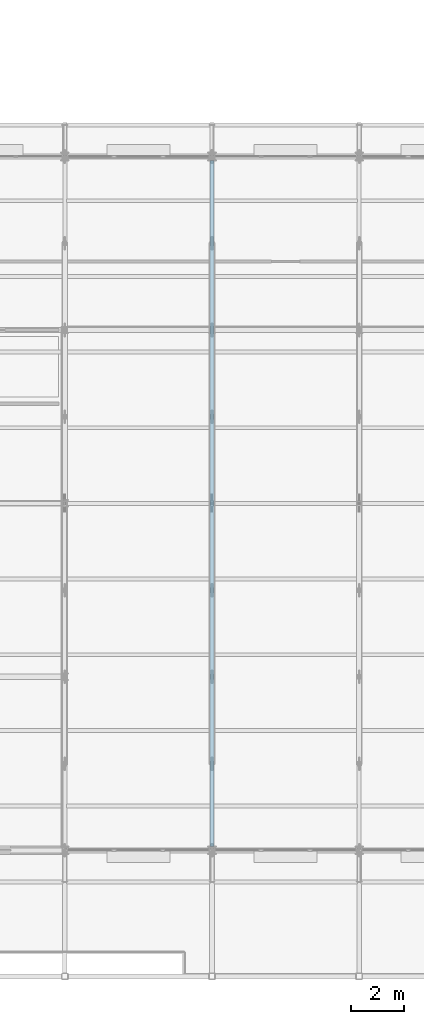
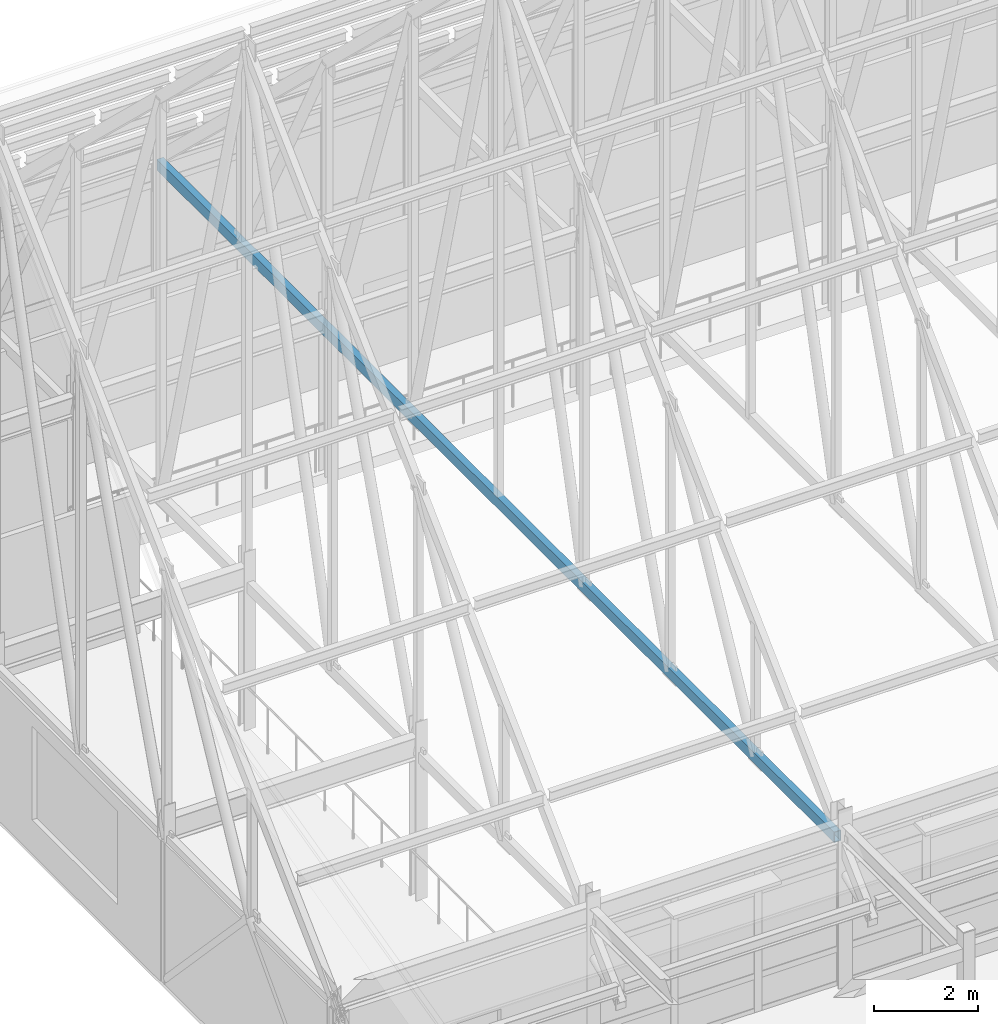
# One storey, part 30 of 144: 1 member.
"""IFC4 building model written with IfcOpenShell, lengths in metres."""

import ifcopenshell
import ifcopenshell.guid

model = None  # the IFC model being written
_history = None  # IfcOwnerHistory: only IFC2X3 demands one
_inside = {}  # id of a spatial element -> (the spatial element, [elements in it])
_under = {}  # id of a project, library or spatial element -> (it, [spatial elements below it])
_declared = {}  # id of a project -> (the project, [libraries it declares])
_typed = {}  # id of a type object -> (the type object, [elements of that type])
_made_of = {}  # id of a material, layer set ... -> (it, [elements and type objects made of it])


def new_model(schema):
    """Start an empty IFC model of exactly this schema.

    Asked for "IFC4X3", IfcOpenShell would pick the latest addendum, in which some entities
    have other attributes; the version numbers below select the first issue.
    IFC2X3 requires an IfcOwnerHistory on every rooted entity: one is made here for all.
    """
    global model, _history
    if schema == "IFC4X3":
        model = ifcopenshell.file(schema_version=(4, 3, 0, 0))
    else:
        model = ifcopenshell.file(schema=schema)
    _inside.clear()
    _under.clear()
    _declared.clear()
    _typed.clear()
    _made_of.clear()
    _history = None
    if model.schema == "IFC2X3":
        org = make("IfcOrganization", Name="unknown")
        user = make(
            "IfcPersonAndOrganization",
            ThePerson=make("IfcPerson", FamilyName="unknown"),
            TheOrganization=org,
        )
        app = make(
            "IfcApplication",
            ApplicationDeveloper=org,
            Version="unknown",
            ApplicationFullName="unknown",
            ApplicationIdentifier="unknown",
        )
        _history = make(
            "IfcOwnerHistory",
            OwningUser=user,
            OwningApplication=app,
            ChangeAction="ADDED",
            CreationDate=0,
        )
    return model


def make(cls, **values):
    """One entity of the class cls with the attributes given. An attribute that is None is left unset."""
    return model.create_entity(
        cls, **{name: value for name, value in values.items() if value is not None}
    )


def rooted(cls, **values):
    """An entity with a GlobalId (a new one), such as an element, a storey or a relation."""
    return make(cls, GlobalId=ifcopenshell.guid.new(), OwnerHistory=_history, **values)


def si_unit(unit_type, name, prefix=None):
    """IfcSIUnit, for example si_unit("LENGTHUNIT", "METRE", prefix="MILLI")."""
    return make("IfcSIUnit", UnitType=unit_type, Prefix=prefix, Name=name)


def assignment(units):
    """IfcUnitAssignment: the units of a project."""
    return None if units is None else make("IfcUnitAssignment", Units=units)


def point(xyz):
    """IfcCartesianPoint."""
    return None if xyz is None else make("IfcCartesianPoint", Coordinates=xyz)


def direction(xyz):
    """IfcDirection."""
    return None if xyz is None else make("IfcDirection", DirectionRatios=xyz)


def frame(location, z_axis=None, x_axis=None):
    """IfcAxis2Placement3D, a coordinate frame: its origin and axes. An axis left out is left unset."""
    return make(
        "IfcAxis2Placement3D",
        Location=point(location),
        Axis=direction(z_axis),
        RefDirection=direction(x_axis),
    )


def frame_2d(location, x_axis=None):
    """IfcAxis2Placement2D, a coordinate frame in the plane: its origin and x axis."""
    return make(
        "IfcAxis2Placement2D", Location=point(location), RefDirection=direction(x_axis)
    )


def origin():
    """The frame at (0, 0, 0) with its axes left unset."""
    return frame((0.0, 0.0, 0.0))


def origin_2d():
    """The frame at (0, 0) in the plane with its x axis left unset."""
    return frame_2d((0.0, 0.0))


def place(relative_to, where):
    """IfcLocalPlacement: puts the frame where relative to a parent placement (None: the world)."""
    return make(
        "IfcLocalPlacement", PlacementRelTo=relative_to, RelativePlacement=where
    )


def context(
    kind, dimensions, precision=None, world=None, true_north=None, identifier=None
):
    """IfcGeometricRepresentationContext, for example the 3D "Model" context."""
    return make(
        "IfcGeometricRepresentationContext",
        ContextIdentifier=identifier,
        ContextType=kind,
        CoordinateSpaceDimension=dimensions,
        Precision=precision,
        WorldCoordinateSystem=world,
        TrueNorth=true_north,
    )


def subcontext(parent, identifier, kind, view, scale=None):
    """IfcGeometricRepresentationSubContext, for example "Body" below "Model"."""
    return make(
        "IfcGeometricRepresentationSubContext",
        ContextIdentifier=identifier,
        ContextType=kind,
        ParentContext=parent,
        TargetScale=scale,
        TargetView=view,
    )


def project(units=None, contexts=None):
    """IfcProject with its units and contexts."""
    return rooted(
        "IfcProject",
        Name="project",
        RepresentationContexts=contexts,
        UnitsInContext=assignment(units),
    )


def spatial(cls, under=None, at=None, **own):
    """A site, building, storey or space (cls), placed at a placement, below another one or the project."""
    s = rooted(cls, ObjectPlacement=at, **own)
    if under is not None:
        _under.setdefault(under.id(), (under, []))[1].append(s)
    return s


def profile(cls, at=None, kind="AREA", **sizes):
    """A parametric profile (cls). Its sizes go by their IFC names, for example OverallWidth=200.0."""
    return make(cls, ProfileType=kind, Position=at, **sizes)


def hollow_rectangle(**sizes):
    """IfcRectangleHollowProfileDef."""
    return profile("IfcRectangleHollowProfileDef", **sizes)


def extrude(swept, where, along, depth):
    """IfcExtrudedAreaSolid: the profile swept, set in the frame where, extruded along a direction by depth."""
    return make(
        "IfcExtrudedAreaSolid",
        SweptArea=swept,
        Position=where,
        ExtrudedDirection=direction(along),
        Depth=depth,
    )


def shape(context_of_items, identifier, shape_type, items):
    """IfcShapeRepresentation: the items that make up one representation, for example the "Body"."""
    return make(
        "IfcShapeRepresentation",
        ContextOfItems=context_of_items,
        RepresentationIdentifier=identifier,
        RepresentationType=shape_type,
        Items=items,
    )


def material(Name=None, Category=None):
    """IfcMaterial."""
    return make("IfcMaterial", Name=Name, Category=Category)


def material_profile(
    of_material, cross_section, Name=None, Category=None, Priority=None
):
    """IfcMaterialProfile: a cross section and its material."""
    return make(
        "IfcMaterialProfile",
        Name=Name,
        Material=of_material,
        Profile=cross_section,
        Priority=Priority,
        Category=Category,
    )


def profile_set(profiles, Name=None, composite=None):
    """IfcMaterialProfileSet."""
    return make(
        "IfcMaterialProfileSet",
        Name=Name,
        MaterialProfiles=profiles,
        CompositeProfile=composite,
    )


def made_of(thing, what):
    """Note that an element or type object is made of a material, layer set ...; save() writes the relation."""
    if what is not None:
        _made_of.setdefault(what.id(), (what, []))[1].append(thing)
    return thing


def type_object(cls, material=None, **own):
    """A type object (cls), such as IfcWallType, which elements share."""
    return made_of(rooted(cls, **own), material)


def element(
    cls,
    number,
    at=None,
    inside=None,
    cuts=None,
    type_object=None,
    material=None,
    context=None,
    identifier="Body",
    shape_type=None,
    held_by="IfcProductDefinitionShape",
    body=None,
    shapes=None,
    **own,
):
    """One element of the class cls, such as IfcWall. Its Tag is "e" and its number.

    at: its placement. inside: the storey or other place that contains it. cuts: it is an
    opening in that element (IfcRelVoidsElement). A single representation is given by context,
    identifier, shape_type and body (its items); several are given by shapes. held_by: the class
    of the entity that holds the representations. save() writes the other relations.
    """
    e = rooted(cls, Tag="e%d" % number, ObjectPlacement=at, **own)
    if body is not None:
        shapes = [shape(context, identifier, shape_type, body)]
    if shapes is not None:
        e.Representation = make(held_by, Representations=shapes)
    if inside is not None:
        _inside.setdefault(inside.id(), (inside, []))[1].append(e)
    if cuts is not None:
        rooted(
            "IfcRelVoidsElement", RelatingBuildingElement=cuts, RelatedOpeningElement=e
        )
    if type_object is not None:
        _typed.setdefault(type_object.id(), (type_object, []))[1].append(e)
    return made_of(e, material)


def aggregate(whole, parts):
    """IfcRelAggregates: a whole, such as a stair, and the parts it consists of."""
    return rooted("IfcRelAggregates", RelatingObject=whole, RelatedObjects=parts)


def save(model, path):
    """Write the relations noted so far, then the file.

    IfcRelAggregates (storeys below a building ...), IfcRelContainedInSpatialStructure (elements
    in a storey), IfcRelDefinesByType, IfcRelAssociatesMaterial and IfcRelDeclares: one each for
    every whole, place, type object, material and project.
    """
    for whole, parts in _under.values():
        aggregate(whole, parts)
    for where, things in _inside.values():
        rooted(
            "IfcRelContainedInSpatialStructure",
            RelatedElements=things,
            RelatingStructure=where,
        )
    for kind, things in _typed.values():
        rooted("IfcRelDefinesByType", RelatedObjects=things, RelatingType=kind)
    for what, things in _made_of.values():
        rooted("IfcRelAssociatesMaterial", RelatedObjects=things, RelatingMaterial=what)
    for by, libraries in _declared.values():
        rooted("IfcRelDeclares", RelatingContext=by, RelatedDefinitions=libraries)
    model.write(path)


model = new_model("IFC4")

# Units and contexts
model_context = context("Model", 3, precision=1e-05, world=origin(), true_north=direction((0.0, 1.0)))
body_context = subcontext(model_context, "Body", "Model", "MODEL_VIEW")
ifc_project = project(units=[si_unit("LENGTHUNIT", "METRE"), si_unit("AREAUNIT", "SQUARE_METRE"), si_unit("VOLUMEUNIT", "CUBIC_METRE"), si_unit("PLANEANGLEUNIT", "RADIAN"), si_unit("MASSUNIT", "GRAM", prefix="KILO")], contexts=[model_context])

# Site, building, storey
site_placement = place(None, origin())
site = spatial("IfcSite", under=ifc_project, at=site_placement, CompositionType="ELEMENT")
building_placement = place(site_placement, origin())
building = spatial("IfcBuilding", under=site, at=building_placement, Name="Trelmorton Wharf Fire Station", CompositionType="ELEMENT")
storey_placement = place(building_placement, frame((0.0, 0.0, 5.39990234375)))
storey = spatial("IfcBuildingStorey", under=building, at=storey_placement, Name="L01", CompositionType="ELEMENT", Elevation=5.39990234375)

# Member
ifc_material = material(Name="Steel C350L0 (350 MPa)", Category="steel")
ifc_material_profile = material_profile(ifc_material, hollow_rectangle(XDim=0.14990234375, YDim=0.25, WallThickness=0.009033203125, at=origin_2d()), Name="250x150x9.0RHS")
ifc_profile_set = profile_set([ifc_material_profile], Name="Steel C350L0 (350 MPa)")
member_type = type_object("IfcMemberType", Name="TR_CHORD_250RHS", PredefinedType="CHORD", material=ifc_profile_set)
member_placement = place(storey_placement, frame((12.0, 7.95361328125, 3.351806640625), z_axis=(0.0, 1.0, 0.0), x_axis=(-1.0, 0.0, 0.0)))
element("IfcMember", 1, at=member_placement, inside=storey, type_object=member_type, Name="V1-TR03-BC", PredefinedType="CHORD", context=body_context, shape_type="SweptSolid", body=[
    extrude(hollow_rectangle(XDim=0.14990234375, YDim=0.25, WallThickness=0.009033203125, at=origin_2d()), origin(), (0.0, 0.0, 1.0), 26.0927734375),
])

save(model, "model.ifc")
